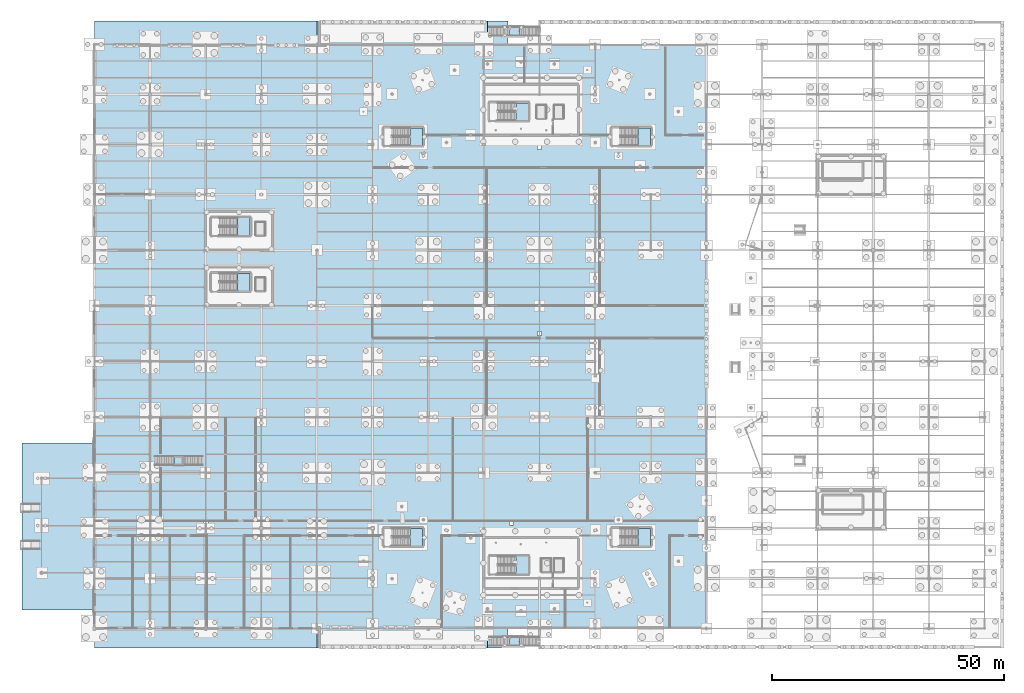
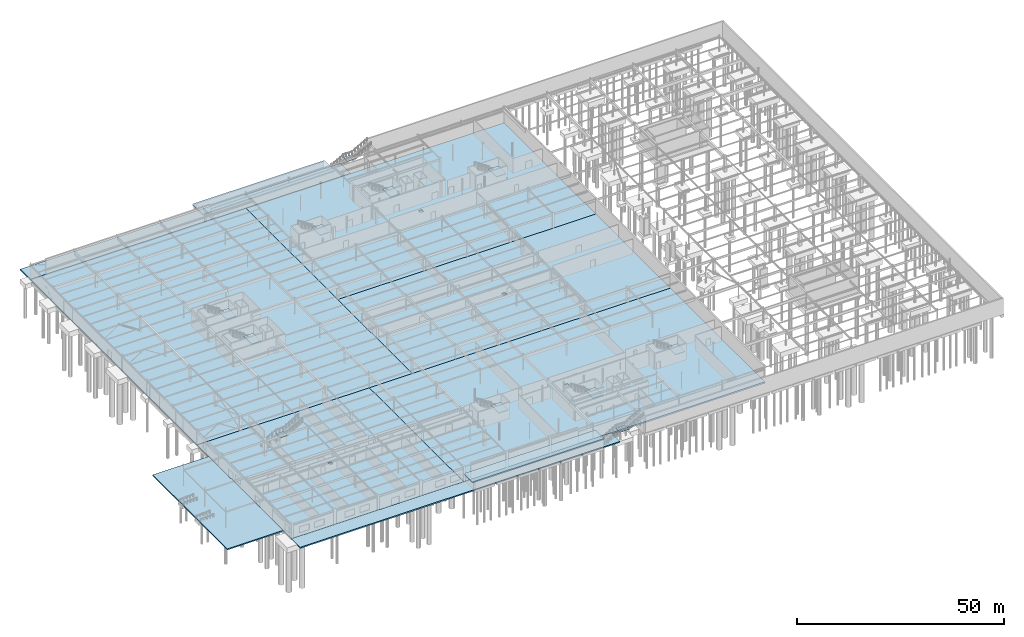
# One storey, part 88 of 136: 21 slabs, 11 elements without a shape of their own.
"""IFC4 building model written with IfcOpenShell, lengths in metres."""

from ifc_helpers import new_model, si_unit, direction, frame, origin, place, context, subcontext, project, spatial, polyline, outline, extrude, material, layer, layer_set, type_object, element, aggregate, save


model = new_model("IFC4")

# Units and contexts
model_context = context("Model", 3, precision=1e-05, world=origin(), true_north=direction((0.0, 1.0)))
body_context = subcontext(model_context, "Body", "Model", "MODEL_VIEW")
ifc_project = project(units=[si_unit("LENGTHUNIT", "METRE"), si_unit("AREAUNIT", "SQUARE_METRE"), si_unit("VOLUMEUNIT", "CUBIC_METRE"), si_unit("PLANEANGLEUNIT", "RADIAN"), si_unit("MASSUNIT", "GRAM", prefix="KILO")], contexts=[model_context])

# Site, building, storey
site_placement = place(None, origin())
site = spatial("IfcSite", under=ifc_project, at=site_placement, CompositionType="ELEMENT")
building_placement = place(site_placement, origin())
building = spatial("IfcBuilding", under=site, at=building_placement, Name="Tarnwether General Hospital", CompositionType="ELEMENT")
storey_placement = place(building_placement, frame((0.0, 0.0, -4.800048828125)))
storey = spatial("IfcBuildingStorey", under=building, at=storey_placement, Name="LG", CompositionType="ELEMENT", Elevation=-4.800048828125)

# Slabs
ifc_material_1 = material(Name="Concrete 40 MPa", Category="concrete")
ifc_layer_1 = layer(ifc_material_1, 0.3798828125)
ifc_layer_set_1 = layer_set([ifc_layer_1], Name="Concrete 40 MPa")
slab_type_1 = type_object("IfcSlabType", Name="SL-BS300", PredefinedType="BASESLAB", material=ifc_layer_set_1)
slab_1_placement = place(storey_placement, frame((0.0, 0.0, -0.3798828125)))
element("IfcSlab", 1, at=slab_1_placement, inside=storey, type_object=slab_type_1, Name="LG Sterile Supply Base Slab SL-LG-CSSD", PredefinedType="BASESLAB", context=body_context, shape_type="SweptSolid", body=[
    extrude(outline(polyline([(60.0, 45.60009765625), (60.0, 81.60009765625), (132.0, 81.60009765625), (132.0, 45.60009765625), (60.0, 45.60009765625)]), holes=[polyline([(96.449951171875, 64.050048828125), (95.550048828125, 64.050048828125), (95.550048828125, 63.14990234375), (96.449951171875, 63.14990234375), (96.449951171875, 64.050048828125)])]), origin(), (0.0, 0.0, 1.0), 0.3798828125),
])
slab_2_placement = place(storey_placement, frame((0.0, 0.0, -0.3798828125)))
element("IfcSlab", 2, at=slab_2_placement, inside=storey, type_object=slab_type_1, Name="LG Lower-Scarp North Apron SL-LG-LOWSCARP-N", PredefinedType="BASESLAB", context=body_context, shape_type="SweptSolid", body=[
    extrude(outline(polyline([(89.199951171875, 126.0), (89.199951171875, 131.0), (0.0, 131.0), (0.0, 126.0), (89.199951171875, 126.0)])), origin(), (0.0, 0.0, 1.0), 0.3798828125),
])
slab_3_placement = place(storey_placement, frame((0.0, 0.0, -0.3798828125)))
element("IfcSlab", 3, at=slab_3_placement, inside=storey, type_object=slab_type_1, Name="LG Lower-Scarp South Apron SL-LG-LOWSCARP-S", PredefinedType="BASESLAB", context=body_context, shape_type="SweptSolid", body=[
    extrude(outline(polyline([(89.199951171875, -4.199951171875), (89.199951171875, 0.0), (0.0, 0.0), (0.0, -4.199951171875), (89.199951171875, -4.199951171875)])), origin(), (0.0, 0.0, 1.0), 0.3798828125),
])
ifc_material_2 = material(Name="Concrete 40 MPa", Category="concrete")
ifc_layer_2 = layer(ifc_material_2, 0.419921875)
ifc_layer_set_2 = layer_set([ifc_layer_2], Name="Concrete 40 MPa")
slab_type_2 = type_object("IfcSlabType", Name="SL-BS350", PredefinedType="BASESLAB", material=ifc_layer_set_2)
slab_4_placement = place(storey_placement, frame((0.0, 0.0, -0.419921875)))
element("IfcSlab", 4, at=slab_4_placement, inside=storey, type_object=slab_type_2, Name="LG Emergency Base Slab SL-LG-V2", PredefinedType="BASESLAB", context=body_context, shape_type="SweptSolid", body=[
    extrude(outline(polyline([(0.0, 0.0), (0.0, 45.60009765625), (48.0, 45.60009765625), (48.0, 0.0), (0.0, 0.0)]), holes=[polyline([(24.449951171875, 23.25), (23.550048828125, 23.25), (23.550048828125, 22.35009765625), (24.449951171875, 22.35009765625), (24.449951171875, 23.25)])]), origin(), (0.0, 0.0, 1.0), 0.419921875),
])
slab_5_placement = place(storey_placement, frame((0.0, 0.0, -0.419921875)))
element("IfcSlab", 5, at=slab_5_placement, inside=storey, type_object=slab_type_2, Name="LG Car Park Base Slab SL-LG-V4W", PredefinedType="BASESLAB", context=body_context, shape_type="SweptSolid", body=[
    extrude(outline(polyline([(60.0, 45.60009765625), (60.0, 126.0), (0.0, 126.0), (0.0, 45.60009765625), (60.0, 45.60009765625)])), origin(), (0.0, 0.0, 1.0), 0.419921875),
])
slab_6_placement = place(storey_placement, frame((0.0, 0.0, -0.419921875)))
element("IfcSlab", 6, at=slab_6_placement, inside=storey, type_object=slab_type_2, Name="LG North Base Slab SL-LG-V4N", PredefinedType="BASESLAB", context=body_context, shape_type="SweptSolid", body=[
    extrude(outline(polyline([(60.0, 81.60009765625), (60.0, 126.0), (132.0, 126.0), (132.0, 81.60009765625), (60.0, 81.60009765625)]), holes=[polyline([(96.449951171875, 104.25), (95.550048828125, 104.25), (95.550048828125, 103.35009765625), (96.449951171875, 103.35009765625), (96.449951171875, 104.25)])]), origin(), (0.0, 0.0, 1.0), 0.419921875),
])
slab_7_placement = place(storey_placement, frame((0.0, 0.0, -0.419921875)))
element("IfcSlab", 7, at=slab_7_placement, inside=storey, type_object=slab_type_2, Name="LG South Base Slab SL-LG-V4S", PredefinedType="BASESLAB", context=body_context, shape_type="SweptSolid", body=[
    extrude(outline(polyline([(48.0, 0.0), (48.0, 45.60009765625), (132.0, 45.60009765625), (132.0, 0.0), (48.0, 0.0)]), holes=[polyline([(90.449951171875, 23.25), (89.550048828125, 23.25), (89.550048828125, 22.35009765625), (90.449951171875, 22.35009765625), (90.449951171875, 23.25)])]), origin(), (0.0, 0.0, 1.0), 0.419921875),
])

# Stair, slab
ifc_material_3 = material(Name="Concrete 40 MPa", Category="concrete")
stair_type_1 = type_object("IfcStairType", Name="ST-SR48", PredefinedType="STRAIGHT_RUN_STAIR", material=ifc_material_3)
stair_1_placement = place(storey_placement, origin())
stair_1 = element("IfcStair", 8, at=stair_1_placement, inside=storey, type_object=stair_type_1, Name="Exterior Scarp Terrace Stair ST-16", PredefinedType="STRAIGHT_RUN_STAIR")
ifc_material_4 = material(Name="Concrete 40 MPa", Category="concrete")
ifc_layer_3 = layer(ifc_material_4, 0.199951171875)
ifc_layer_set_3 = layer_set([ifc_layer_3], Name="Concrete 40 MPa")
slab_type_3 = type_object("IfcSlabType", Name="SL-LD200", PredefinedType="LANDING", material=ifc_layer_set_3)
slab_8_placement = place(storey_placement, frame((0.0, 0.0, 2.199951171875)))
slab_8 = element("IfcSlab", 9, at=slab_8_placement, type_object=slab_type_3, Name="ST-16 landing 1", PredefinedType="LANDING", context=body_context, shape_type="SweptSolid", body=[
    extrude(outline(polyline([(89.3798828125, -3.800048828125), (91.820068359375, -3.800048828125), (91.820068359375, -1.800048828125), (89.3798828125, -1.800048828125), (89.3798828125, -3.800048828125)])), origin(), (0.0, 0.0, 1.0), 0.2001953125),
])
aggregate(stair_1, [slab_8])

stair_2_placement = place(storey_placement, origin())
stair_2 = element("IfcStair", 10, at=stair_2_placement, inside=storey, type_object=stair_type_1, Name="Exterior Scarp Terrace Stair ST-17", PredefinedType="STRAIGHT_RUN_STAIR")
slab_9_placement = place(storey_placement, frame((0.0, 0.0, 2.199951171875)))
slab_9 = element("IfcSlab", 11, at=slab_9_placement, type_object=slab_type_3, Name="ST-17 landing 1", PredefinedType="LANDING", context=body_context, shape_type="SweptSolid", body=[
    extrude(outline(polyline([(89.3798828125, 127.800048828125), (91.820068359375, 127.800048828125), (91.820068359375, 129.800048828125), (89.3798828125, 129.800048828125), (89.3798828125, 127.800048828125)])), origin(), (0.0, 0.0, 1.0), 0.2001953125),
])
aggregate(stair_2, [slab_9])

ifc_material_5 = material(Name="Concrete 40 MPa", Category="concrete")
stair_type_2 = type_object("IfcStairType", Name="ST-DL48A", PredefinedType="HALF_TURN_STAIR", material=ifc_material_5)
stair_3_placement = place(storey_placement, origin())
stair_3 = element("IfcStair", 12, at=stair_3_placement, inside=storey, type_object=stair_type_2, Name="LG Exit Stair ST-01", PredefinedType="HALF_TURN_STAIR")
slab_10_placement = place(storey_placement, frame((0.0, 0.0, 2.199951171875)))
slab_10 = element("IfcSlab", 13, at=slab_10_placement, type_object=slab_type_3, Name="ST-01 landing 1", PredefinedType="LANDING", context=body_context, shape_type="SweptSolid", body=[
    extrude(outline(polyline([(90.89990234375, 109.60009765625), (93.60009765625, 109.60009765625), (93.60009765625, 113.39990234375), (90.89990234375, 113.39990234375), (90.89990234375, 109.60009765625)])), origin(), (0.0, 0.0, 1.0), 0.2001953125),
])
aggregate(stair_3, [slab_10])

ifc_material_6 = material(Name="Concrete 40 MPa", Category="concrete")
stair_type_3 = type_object("IfcStairType", Name="ST-DL48B", PredefinedType="HALF_TURN_STAIR", material=ifc_material_6)
stair_4_placement = place(storey_placement, origin())
stair_4 = element("IfcStair", 14, at=stair_4_placement, inside=storey, type_object=stair_type_3, Name="LG Exit Stair ST-02", PredefinedType="HALF_TURN_STAIR")
slab_11_placement = place(storey_placement, frame((0.0, 0.0, 2.199951171875)))
slab_11 = element("IfcSlab", 15, at=slab_11_placement, type_object=slab_type_3, Name="ST-02 landing 1", PredefinedType="LANDING", context=body_context, shape_type="SweptSolid", body=[
    extrude(outline(polyline([(90.89990234375, 11.800048828125), (93.60009765625, 11.800048828125), (93.60009765625, 15.60009765625), (90.89990234375, 15.60009765625), (90.89990234375, 11.800048828125)])), origin(), (0.0, 0.0, 1.0), 0.2001953125),
])
aggregate(stair_4, [slab_11])

stair_5_placement = place(storey_placement, origin())
stair_5 = element("IfcStair", 16, at=stair_5_placement, inside=storey, type_object=stair_type_2, Name="LG Exit Stair ST-03", PredefinedType="HALF_TURN_STAIR")
slab_12_placement = place(storey_placement, frame((0.0, 0.0, 2.199951171875)))
slab_12 = element("IfcSlab", 17, at=slab_12_placement, type_object=slab_type_3, Name="ST-03 landing 1", PredefinedType="LANDING", context=body_context, shape_type="SweptSolid", body=[
    extrude(outline(polyline([(30.89990234375, 72.800048828125), (33.60009765625, 72.800048828125), (33.60009765625, 76.60009765625), (30.89990234375, 76.60009765625), (30.89990234375, 72.800048828125)])), origin(), (0.0, 0.0, 1.0), 0.2001953125),
])
aggregate(stair_5, [slab_12])

stair_6_placement = place(storey_placement, origin())
stair_6 = element("IfcStair", 18, at=stair_6_placement, inside=storey, type_object=stair_type_3, Name="LG Exit Stair ST-04", PredefinedType="HALF_TURN_STAIR")
slab_13_placement = place(storey_placement, frame((0.0, 0.0, 2.199951171875)))
slab_13 = element("IfcSlab", 19, at=slab_13_placement, type_object=slab_type_3, Name="ST-04 landing 1", PredefinedType="LANDING", context=body_context, shape_type="SweptSolid", body=[
    extrude(outline(polyline([(30.89990234375, 84.800048828125), (33.60009765625, 84.800048828125), (33.60009765625, 88.60009765625), (30.89990234375, 88.60009765625), (30.89990234375, 84.800048828125)])), origin(), (0.0, 0.0, 1.0), 0.2001953125),
])
aggregate(stair_6, [slab_13])

stair_7_placement = place(storey_placement, origin())
stair_7 = element("IfcStair", 20, at=stair_7_placement, inside=storey, type_object=stair_type_2, Name="LG Exit Stair ST-07", PredefinedType="HALF_TURN_STAIR")
slab_14_placement = place(storey_placement, frame((0.0, 0.0, 2.199951171875)))
slab_14 = element("IfcSlab", 21, at=slab_14_placement, type_object=slab_type_3, Name="ST-07 landing 1", PredefinedType="LANDING", context=body_context, shape_type="SweptSolid", body=[
    extrude(outline(polyline([(68.10009765625, 104.199951171875), (70.800048828125, 104.199951171875), (70.800048828125, 108.0), (68.10009765625, 108.0), (68.10009765625, 104.199951171875)])), origin(), (0.0, 0.0, 1.0), 0.2001953125),
])
aggregate(stair_7, [slab_14])

stair_8_placement = place(storey_placement, origin())
stair_8 = element("IfcStair", 22, at=stair_8_placement, inside=storey, type_object=stair_type_3, Name="LG Exit Stair ST-08", PredefinedType="HALF_TURN_STAIR")
slab_15_placement = place(storey_placement, frame((0.0, 0.0, 2.199951171875)))
slab_15 = element("IfcSlab", 23, at=slab_15_placement, type_object=slab_type_3, Name="ST-08 landing 1", PredefinedType="LANDING", context=body_context, shape_type="SweptSolid", body=[
    extrude(outline(polyline([(117.300048828125, 104.199951171875), (120.0, 104.199951171875), (120.0, 108.0), (117.300048828125, 108.0), (117.300048828125, 104.199951171875)])), origin(), (0.0, 0.0, 1.0), 0.2001953125),
])
aggregate(stair_8, [slab_15])

stair_9_placement = place(storey_placement, origin())
stair_9 = element("IfcStair", 24, at=stair_9_placement, inside=storey, type_object=stair_type_2, Name="LG Exit Stair ST-09", PredefinedType="HALF_TURN_STAIR")
slab_16_placement = place(storey_placement, frame((0.0, 0.0, 2.199951171875)))
slab_16 = element("IfcSlab", 25, at=slab_16_placement, type_object=slab_type_3, Name="ST-09 landing 1", PredefinedType="LANDING", context=body_context, shape_type="SweptSolid", body=[
    extrude(outline(polyline([(68.10009765625, 17.800048828125), (70.800048828125, 17.800048828125), (70.800048828125, 21.60009765625), (68.10009765625, 21.60009765625), (68.10009765625, 17.800048828125)])), origin(), (0.0, 0.0, 1.0), 0.2001953125),
])
aggregate(stair_9, [slab_16])

stair_10_placement = place(storey_placement, origin())
stair_10 = element("IfcStair", 26, at=stair_10_placement, inside=storey, type_object=stair_type_3, Name="LG Exit Stair ST-10", PredefinedType="HALF_TURN_STAIR")
slab_17_placement = place(storey_placement, frame((0.0, 0.0, 2.199951171875)))
slab_17 = element("IfcSlab", 27, at=slab_17_placement, type_object=slab_type_3, Name="ST-10 landing 1", PredefinedType="LANDING", context=body_context, shape_type="SweptSolid", body=[
    extrude(outline(polyline([(117.300048828125, 17.800048828125), (120.0, 17.800048828125), (120.0, 21.60009765625), (117.300048828125, 21.60009765625), (117.300048828125, 17.800048828125)])), origin(), (0.0, 0.0, 1.0), 0.2001953125),
])
aggregate(stair_10, [slab_17])

stair_11_placement = place(storey_placement, origin())
stair_11 = element("IfcStair", 28, at=stair_11_placement, inside=storey, type_object=stair_type_1, Name="Feature Straight Stair ST-15", PredefinedType="STRAIGHT_RUN_STAIR")
slab_18_placement = place(storey_placement, frame((0.0, 0.0, 2.199951171875)))
slab_18 = element("IfcSlab", 29, at=slab_18_placement, type_object=slab_type_3, Name="ST-15 landing 1", PredefinedType="LANDING", context=body_context, shape_type="SweptSolid", body=[
    extrude(outline(polyline([(17.199951171875, 35.199951171875), (19.199951171875, 35.199951171875), (19.199951171875, 37.199951171875), (17.199951171875, 37.199951171875), (17.199951171875, 35.199951171875)])), origin(), (0.0, 0.0, 1.0), 0.2001953125),
])
aggregate(stair_11, [slab_18])

# Slabs
ifc_material_7 = material(Name="Concrete 40 MPa", Category="concrete")
ifc_layer_4 = layer(ifc_material_7, 0.360107421875)
ifc_layer_set_4 = layer_set([ifc_layer_4], Name="Concrete 40 MPa")
slab_type_4 = type_object("IfcSlabType", Name="SL-TR240", PredefinedType="FLOOR", material=ifc_layer_set_4)
slab_19_placement = place(storey_placement, frame((0.0, 0.0, -0.35986328125)))
element("IfcSlab", 30, at=slab_19_placement, inside=storey, type_object=slab_type_4, Name="LG Covered Ambulance Driveway Apron SL-LG-AMB", PredefinedType="FLOOR", context=body_context, shape_type="SweptSolid", body=[
    extrude(outline(polyline([(0.0, 4.0), (0.0, 40.0), (-15.60009765625, 40.0), (-15.60009765625, 4.0), (0.0, 4.0)])), origin(), (0.0, 0.0, 1.0), 0.35986328125),
])
slab_20_placement = place(storey_placement, frame((0.0, 0.0, 2.0400390625)))
element("IfcSlab", 31, at=slab_20_placement, inside=storey, type_object=slab_type_4, Name="LG Mid-Scarp North Garden Terrace SL-LG-MIDSCARP-N", PredefinedType="FLOOR", context=body_context, shape_type="SweptSolid", body=[
    extrude(outline(polyline([(84.800048828125, 126.0), (84.800048828125, 131.0), (48.0, 131.0), (48.0, 126.0), (84.800048828125, 126.0)])), origin(), (0.0, 0.0, 1.0), 0.360107421875),
])
slab_21_placement = place(storey_placement, frame((0.0, 0.0, 2.0400390625)))
element("IfcSlab", 32, at=slab_21_placement, inside=storey, type_object=slab_type_4, Name="LG Mid-Scarp South Garden Terrace SL-LG-MIDSCARP-S", PredefinedType="FLOOR", context=body_context, shape_type="SweptSolid", body=[
    extrude(outline(polyline([(84.800048828125, -4.199951171875), (84.800048828125, 0.0), (48.0, 0.0), (48.0, -4.199951171875), (84.800048828125, -4.199951171875)])), origin(), (0.0, 0.0, 1.0), 0.360107421875),
])

save(model, "model.ifc")
